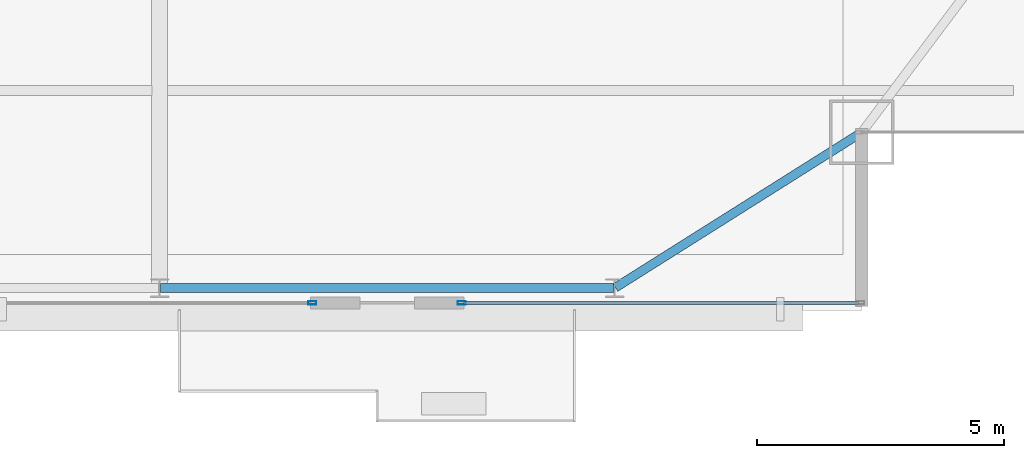
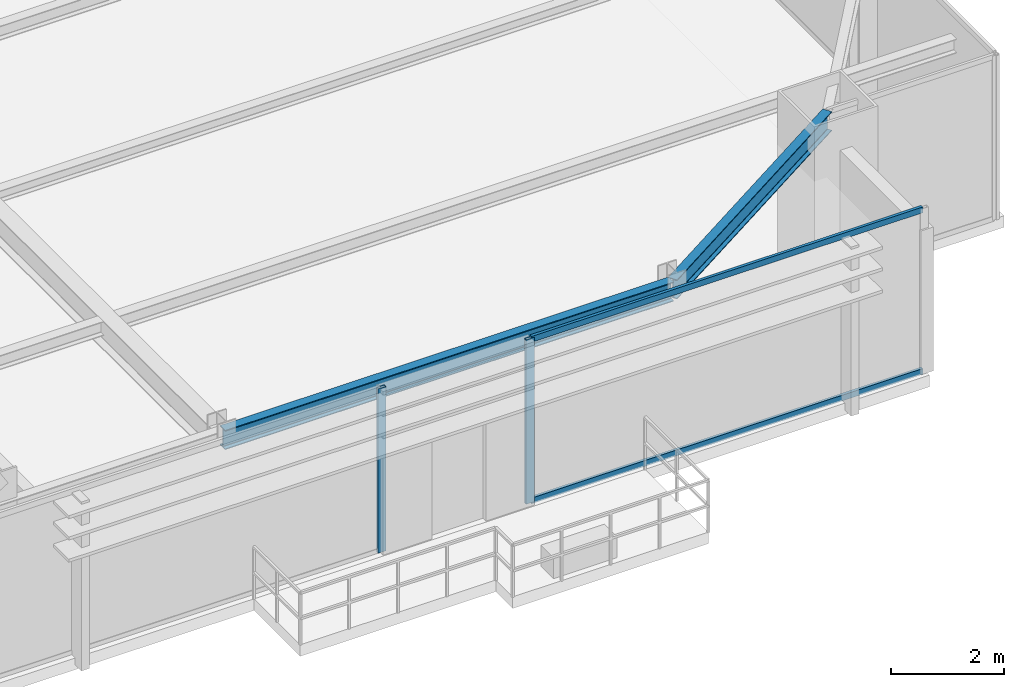
# One storey, part 14 of 32: 4 members, 2 beams, 2 elements without a shape of their own.
"""IFC4 building model written with IfcOpenShell, lengths in metres."""

import ifcopenshell
import ifcopenshell.guid

model = None  # the IFC model being written
_history = None  # IfcOwnerHistory: only IFC2X3 demands one
_inside = {}  # id of a spatial element -> (the spatial element, [elements in it])
_under = {}  # id of a project, library or spatial element -> (it, [spatial elements below it])
_declared = {}  # id of a project -> (the project, [libraries it declares])
_typed = {}  # id of a type object -> (the type object, [elements of that type])
_made_of = {}  # id of a material, layer set ... -> (it, [elements and type objects made of it])


def new_model(schema):
    """Start an empty IFC model of exactly this schema.

    Asked for "IFC4X3", IfcOpenShell would pick the latest addendum, in which some entities
    have other attributes; the version numbers below select the first issue.
    IFC2X3 requires an IfcOwnerHistory on every rooted entity: one is made here for all.
    """
    global model, _history
    if schema == "IFC4X3":
        model = ifcopenshell.file(schema_version=(4, 3, 0, 0))
    else:
        model = ifcopenshell.file(schema=schema)
    _inside.clear()
    _under.clear()
    _declared.clear()
    _typed.clear()
    _made_of.clear()
    _history = None
    if model.schema == "IFC2X3":
        org = make("IfcOrganization", Name="unknown")
        user = make(
            "IfcPersonAndOrganization",
            ThePerson=make("IfcPerson", FamilyName="unknown"),
            TheOrganization=org,
        )
        app = make(
            "IfcApplication",
            ApplicationDeveloper=org,
            Version="unknown",
            ApplicationFullName="unknown",
            ApplicationIdentifier="unknown",
        )
        _history = make(
            "IfcOwnerHistory",
            OwningUser=user,
            OwningApplication=app,
            ChangeAction="ADDED",
            CreationDate=0,
        )
    return model


def make(cls, **values):
    """One entity of the class cls with the attributes given. An attribute that is None is left unset."""
    return model.create_entity(
        cls, **{name: value for name, value in values.items() if value is not None}
    )


def rooted(cls, **values):
    """An entity with a GlobalId (a new one), such as an element, a storey or a relation."""
    return make(cls, GlobalId=ifcopenshell.guid.new(), OwnerHistory=_history, **values)


def si_unit(unit_type, name, prefix=None):
    """IfcSIUnit, for example si_unit("LENGTHUNIT", "METRE", prefix="MILLI")."""
    return make("IfcSIUnit", UnitType=unit_type, Prefix=prefix, Name=name)


def assignment(units):
    """IfcUnitAssignment: the units of a project."""
    return None if units is None else make("IfcUnitAssignment", Units=units)


def point(xyz):
    """IfcCartesianPoint."""
    return None if xyz is None else make("IfcCartesianPoint", Coordinates=xyz)


def direction(xyz):
    """IfcDirection."""
    return None if xyz is None else make("IfcDirection", DirectionRatios=xyz)


def frame(location, z_axis=None, x_axis=None):
    """IfcAxis2Placement3D, a coordinate frame: its origin and axes. An axis left out is left unset."""
    return make(
        "IfcAxis2Placement3D",
        Location=point(location),
        Axis=direction(z_axis),
        RefDirection=direction(x_axis),
    )


def frame_2d(location, x_axis=None):
    """IfcAxis2Placement2D, a coordinate frame in the plane: its origin and x axis."""
    return make(
        "IfcAxis2Placement2D", Location=point(location), RefDirection=direction(x_axis)
    )


def origin():
    """The frame at (0, 0, 0) with its axes left unset."""
    return frame((0.0, 0.0, 0.0))


def origin_2d():
    """The frame at (0, 0) in the plane with its x axis left unset."""
    return frame_2d((0.0, 0.0))


def place(relative_to, where):
    """IfcLocalPlacement: puts the frame where relative to a parent placement (None: the world)."""
    return make(
        "IfcLocalPlacement", PlacementRelTo=relative_to, RelativePlacement=where
    )


def context(
    kind, dimensions, precision=None, world=None, true_north=None, identifier=None
):
    """IfcGeometricRepresentationContext, for example the 3D "Model" context."""
    return make(
        "IfcGeometricRepresentationContext",
        ContextIdentifier=identifier,
        ContextType=kind,
        CoordinateSpaceDimension=dimensions,
        Precision=precision,
        WorldCoordinateSystem=world,
        TrueNorth=true_north,
    )


def subcontext(parent, identifier, kind, view, scale=None):
    """IfcGeometricRepresentationSubContext, for example "Body" below "Model"."""
    return make(
        "IfcGeometricRepresentationSubContext",
        ContextIdentifier=identifier,
        ContextType=kind,
        ParentContext=parent,
        TargetScale=scale,
        TargetView=view,
    )


def project(units=None, contexts=None):
    """IfcProject with its units and contexts."""
    return rooted(
        "IfcProject",
        Name="project",
        RepresentationContexts=contexts,
        UnitsInContext=assignment(units),
    )


def spatial(cls, under=None, at=None, **own):
    """A site, building, storey or space (cls), placed at a placement, below another one or the project."""
    s = rooted(cls, ObjectPlacement=at, **own)
    if under is not None:
        _under.setdefault(under.id(), (under, []))[1].append(s)
    return s


def profile(cls, at=None, kind="AREA", **sizes):
    """A parametric profile (cls). Its sizes go by their IFC names, for example OverallWidth=200.0."""
    return make(cls, ProfileType=kind, Position=at, **sizes)


def hollow_rectangle(**sizes):
    """IfcRectangleHollowProfileDef."""
    return profile("IfcRectangleHollowProfileDef", **sizes)


def i_section(**sizes):
    """IfcIShapeProfileDef."""
    return profile("IfcIShapeProfileDef", **sizes)


def extrude(swept, where, along, depth):
    """IfcExtrudedAreaSolid: the profile swept, set in the frame where, extruded along a direction by depth."""
    return make(
        "IfcExtrudedAreaSolid",
        SweptArea=swept,
        Position=where,
        ExtrudedDirection=direction(along),
        Depth=depth,
    )


def shape(context_of_items, identifier, shape_type, items):
    """IfcShapeRepresentation: the items that make up one representation, for example the "Body"."""
    return make(
        "IfcShapeRepresentation",
        ContextOfItems=context_of_items,
        RepresentationIdentifier=identifier,
        RepresentationType=shape_type,
        Items=items,
    )


def source(mapping_origin, context_of_items, identifier, shape_type, items):
    """IfcRepresentationMap: a shape defined once, which mapped items show again and again."""
    return make(
        "IfcRepresentationMap",
        MappingOrigin=mapping_origin,
        MappedRepresentation=shape(context_of_items, identifier, shape_type, items),
    )


def transform(
    local_origin,
    x_axis=None,
    y_axis=None,
    z_axis=None,
    scale=None,
    scale2=None,
    scale3=None,
    uniform=True,
):
    """IfcCartesianTransformationOperator3D, or its non-uniform kind. x_axis, y_axis, z_axis: its Axis1, 2, 3."""
    if uniform:
        return make(
            "IfcCartesianTransformationOperator3D",
            Axis1=direction(x_axis),
            Axis2=direction(y_axis),
            LocalOrigin=point(local_origin),
            Scale=scale,
            Axis3=direction(z_axis),
        )
    return make(
        "IfcCartesianTransformationOperator3DnonUniform",
        Axis1=direction(x_axis),
        Axis2=direction(y_axis),
        LocalOrigin=point(local_origin),
        Scale=scale,
        Axis3=direction(z_axis),
        Scale2=scale2,
        Scale3=scale3,
    )


def mapped(mapping_source, mapping_target):
    """IfcMappedItem: shows the shape of a source again, moved by a transform."""
    return make(
        "IfcMappedItem", MappingSource=mapping_source, MappingTarget=mapping_target
    )


def material(Name=None, Category=None):
    """IfcMaterial."""
    return make("IfcMaterial", Name=Name, Category=Category)


def layer(
    of_material, thickness, ventilated=None, Name=None, Category=None, Priority=None
):
    """IfcMaterialLayer: one layer of a wall or slab, of a material (None: an air gap)."""
    return make(
        "IfcMaterialLayer",
        Material=of_material,
        LayerThickness=thickness,
        IsVentilated=ventilated,
        Name=Name,
        Category=Category,
        Priority=Priority,
    )


def layer_set(layers, Name=None):
    """IfcMaterialLayerSet."""
    return make("IfcMaterialLayerSet", MaterialLayers=layers, LayerSetName=Name)


def material_profile(
    of_material, cross_section, Name=None, Category=None, Priority=None
):
    """IfcMaterialProfile: a cross section and its material."""
    return make(
        "IfcMaterialProfile",
        Name=Name,
        Material=of_material,
        Profile=cross_section,
        Priority=Priority,
        Category=Category,
    )


def profile_set(profiles, Name=None, composite=None):
    """IfcMaterialProfileSet."""
    return make(
        "IfcMaterialProfileSet",
        Name=Name,
        MaterialProfiles=profiles,
        CompositeProfile=composite,
    )


def made_of(thing, what):
    """Note that an element or type object is made of a material, layer set ...; save() writes the relation."""
    if what is not None:
        _made_of.setdefault(what.id(), (what, []))[1].append(thing)
    return thing


def type_object(cls, material=None, **own):
    """A type object (cls), such as IfcWallType, which elements share."""
    return made_of(rooted(cls, **own), material)


def type_shapes(of_type, sources):
    """Give a type object the sources (RepresentationMaps) that its elements show as mapped items."""
    of_type.RepresentationMaps = sources


def element(
    cls,
    number,
    at=None,
    inside=None,
    cuts=None,
    type_object=None,
    material=None,
    context=None,
    identifier="Body",
    shape_type=None,
    held_by="IfcProductDefinitionShape",
    body=None,
    shapes=None,
    **own,
):
    """One element of the class cls, such as IfcWall. Its Tag is "e" and its number.

    at: its placement. inside: the storey or other place that contains it. cuts: it is an
    opening in that element (IfcRelVoidsElement). A single representation is given by context,
    identifier, shape_type and body (its items); several are given by shapes. held_by: the class
    of the entity that holds the representations. save() writes the other relations.
    """
    e = rooted(cls, Tag="e%d" % number, ObjectPlacement=at, **own)
    if body is not None:
        shapes = [shape(context, identifier, shape_type, body)]
    if shapes is not None:
        e.Representation = make(held_by, Representations=shapes)
    if inside is not None:
        _inside.setdefault(inside.id(), (inside, []))[1].append(e)
    if cuts is not None:
        rooted(
            "IfcRelVoidsElement", RelatingBuildingElement=cuts, RelatedOpeningElement=e
        )
    if type_object is not None:
        _typed.setdefault(type_object.id(), (type_object, []))[1].append(e)
    return made_of(e, material)


def aggregate(whole, parts):
    """IfcRelAggregates: a whole, such as a stair, and the parts it consists of."""
    return rooted("IfcRelAggregates", RelatingObject=whole, RelatedObjects=parts)


def save(model, path):
    """Write the relations noted so far, then the file.

    IfcRelAggregates (storeys below a building ...), IfcRelContainedInSpatialStructure (elements
    in a storey), IfcRelDefinesByType, IfcRelAssociatesMaterial and IfcRelDeclares: one each for
    every whole, place, type object, material and project.
    """
    for whole, parts in _under.values():
        aggregate(whole, parts)
    for where, things in _inside.values():
        rooted(
            "IfcRelContainedInSpatialStructure",
            RelatedElements=things,
            RelatingStructure=where,
        )
    for kind, things in _typed.values():
        rooted("IfcRelDefinesByType", RelatedObjects=things, RelatingType=kind)
    for what, things in _made_of.values():
        rooted("IfcRelAssociatesMaterial", RelatedObjects=things, RelatingMaterial=what)
    for by, libraries in _declared.values():
        rooted("IfcRelDeclares", RelatingContext=by, RelatedDefinitions=libraries)
    model.write(path)


model = new_model("IFC4")

# Units and contexts
model_context = context("Model", 3, precision=1e-05, world=origin(), true_north=direction((0.0, 1.0)))
body_context = subcontext(model_context, "Body", "Model", "MODEL_VIEW")
ifc_project = project(units=[si_unit("LENGTHUNIT", "METRE"), si_unit("AREAUNIT", "SQUARE_METRE"), si_unit("VOLUMEUNIT", "CUBIC_METRE"), si_unit("PLANEANGLEUNIT", "RADIAN"), si_unit("MASSUNIT", "GRAM", prefix="KILO")], contexts=[model_context])

# Site, building, storey
site_placement = place(None, origin())
site = spatial("IfcSite", under=ifc_project, at=site_placement, CompositionType="ELEMENT")
building_placement = place(site_placement, origin())
building = spatial("IfcBuilding", under=site, at=building_placement, Name="Varnel Quay Broadcast Tower", CompositionType="ELEMENT")
storey_placement = place(building_placement, frame((0.0, 0.0, 164.800048828125)))
storey = spatial("IfcBuildingStorey", under=building, at=storey_placement, Name="L40", CompositionType="ELEMENT", Elevation=164.800048828125)

# Beams
ifc_material_1 = material(Name="Structural Steel CSA G40.21 350W", Category="steel")
ifc_material_profile_1 = material_profile(ifc_material_1, i_section(OverallWidth=0.180908203125, OverallDepth=0.4169921875, WebThickness=0.010986328125, FlangeThickness=0.018310546875, FilletRadius=0.011962890625, at=origin_2d()), Name="W410X85")
ifc_profile_set_1 = profile_set([ifc_material_profile_1], Name="Structural Steel CSA G40.21 350W")
beam_type = type_object("IfcBeamType", Name="Beam_W410X85", PredefinedType="SPANDREL", material=ifc_profile_set_1)
shared_shape_1 = source(origin(), body_context, "Body", "SweptSolid", [
    extrude(i_section(OverallWidth=0.180908203125, OverallDepth=0.4169921875, WebThickness=0.010986328125, FlangeThickness=0.018310546875, FilletRadius=0.011962890625, at=origin_2d()), origin(), (0.0, 0.0, 1.0), 9.159912109375),
])
beam_1_placement = place(storey_placement, frame((43.219970703125, 7.64990234375, 3.341552734375), z_axis=(1.0, 0.0, 0.0), x_axis=(0.0, 1.0, 0.0)))
element("IfcBeam", 1, at=beam_1_placement, inside=storey, type_object=beam_type, Name="L40 South Spandrel TC-S4-TC-S5", PredefinedType="SPANDREL", context=body_context, shape_type="MappedRepresentation", body=[
    mapped(shared_shape_1, transform((0.0, 0.0, 0.0), x_axis=(1.0, 0.0, 0.0), y_axis=(0.0, 1.0, 0.0), z_axis=(0.0, 0.0, 1.0), scale=1.0)),
])
shared_shape_2 = source(origin(), body_context, "Body", "SweptSolid", [
    extrude(i_section(OverallWidth=0.180908203125, OverallDepth=0.4169921875, WebThickness=0.010986328125, FlangeThickness=0.018310546875, FilletRadius=0.011962890625, at=origin_2d()), origin(), (0.0, 0.0, 1.0), 5.869384765625),
])
type_shapes(beam_type, [shared_shape_1, shared_shape_2])
beam_2_placement = place(storey_placement, frame((52.4169921875, 7.66064453125, 3.341552734375), z_axis=(0.846088328928, 0.533042718412, 0.0), x_axis=(-0.533042718412, 0.846088328928, 0.0)))
element("IfcBeam", 2, at=beam_2_placement, inside=storey, type_object=beam_type, Name="L40 South Spandrel TC-S5-MC-SE", PredefinedType="SPANDREL", context=body_context, shape_type="MappedRepresentation", body=[
    mapped(shared_shape_2, transform((0.0, 0.0, 0.0), x_axis=(1.0, 0.0, 0.0), y_axis=(0.0, 1.0, 0.0), z_axis=(0.0, 0.0, 1.0), scale=1.0)),
])

# Curtain wall, member
ifc_material_2 = material(Name="Anodised Bronze Aluminium 6063-T6", Category="aluminium")
ifc_layer = layer(ifc_material_2, 0.18994140625, Name="Anodised Bronze Aluminium 6063-T6")
ifc_layer_set = layer_set([ifc_layer], Name="Anodised Bronze Aluminium 6063-T6")
curtain_wall_type = type_object("IfcCurtainWallType", Name="CW_UpperTower", PredefinedType="NOTDEFINED", material=ifc_layer_set)
curtain_wall_1_placement = place(storey_placement, origin())
curtain_wall_1 = element("IfcCurtainWall", 3, at=curtain_wall_1_placement, inside=storey, type_object=curtain_wall_type, Name="L40 South Unitised Curtain Wall 2", PredefinedType="NOTDEFINED")
ifc_material_profile_2 = material_profile(ifc_material_2, hollow_rectangle(XDim=0.06494140625, YDim=0.1650390625, WallThickness=0.00341796875, at=origin_2d()), Name="ALU65X165X3.5")
ifc_profile_set_2 = profile_set([ifc_material_profile_2], Name="Anodised Bronze Aluminium 6063-T6")
member_type_1 = type_object("IfcMemberType", Name="Mull_CWS-03", PredefinedType="MULLION", material=ifc_profile_set_2)
shared_shape_3 = source(origin(), body_context, "Body", "SweptSolid", [
    extrude(hollow_rectangle(XDim=0.06494140625, YDim=0.1650390625, WallThickness=0.00341796875, at=origin_2d()), origin(), (0.0, 0.0, 1.0), 3.550048828125),
])
type_shapes(member_type_1, [shared_shape_3])
member_1_placement = place(storey_placement, frame((46.28759765625, 7.35009765625, 0.0), z_axis=(0.0, 0.0, 1.0), x_axis=(0.0, 1.0, 0.0)))
member_1 = element("IfcMember", 4, at=member_1_placement, type_object=member_type_1, Name="CWS-03 mullion 3", PredefinedType="MULLION", context=body_context, shape_type="MappedRepresentation", body=[
    mapped(shared_shape_3, transform((0.0, 0.0, 0.0), x_axis=(1.0, 0.0, 0.0), y_axis=(0.0, 1.0, 0.0), z_axis=(0.0, 0.0, 1.0), scale=1.0)),
])
aggregate(curtain_wall_1, [member_1])

# Curtain wall, members
curtain_wall_2_placement = place(storey_placement, origin())
curtain_wall_2 = element("IfcCurtainWall", 5, at=curtain_wall_2_placement, inside=storey, type_object=curtain_wall_type, Name="L40 South Unitised Curtain Wall 3", PredefinedType="NOTDEFINED")
member_2_placement = place(storey_placement, frame((49.3125, 7.35009765625, 0.0), z_axis=(0.0, 0.0, 1.0), x_axis=(0.0, 1.0, 0.0)))
member_2 = element("IfcMember", 6, at=member_2_placement, type_object=member_type_1, Name="CWS-03 mullion 1", PredefinedType="MULLION", context=body_context, shape_type="MappedRepresentation", body=[
    mapped(shared_shape_3, transform((0.0, 0.0, 0.0), x_axis=(1.0, 0.0, 0.0), y_axis=(0.0, 1.0, 0.0), z_axis=(0.0, 0.0, 1.0), scale=1.0)),
])
ifc_material_profile_3 = material_profile(ifc_material_2, hollow_rectangle(XDim=0.06005859375, YDim=0.125, WallThickness=0.0029296875, at=origin_2d()), Name="ALU60X125X3")
ifc_profile_set_3 = profile_set([ifc_material_profile_3], Name="Anodised Bronze Aluminium 6063-T6")
member_type_2 = type_object("IfcMemberType", Name="Tran_CWS-03", PredefinedType="USERDEFINED", material=ifc_profile_set_3)
shared_shape_4 = source(origin(), body_context, "Body", "SweptSolid", [
    extrude(hollow_rectangle(XDim=0.06005859375, YDim=0.125, WallThickness=0.0029296875, at=origin_2d()), origin(), (0.0, 0.0, 1.0), 7.989990234375),
])
type_shapes(member_type_2, [shared_shape_4])
member_3_placement = place(storey_placement, frame((49.344970703125, 7.35009765625, 0.030029296875), z_axis=(1.0, 0.0, 0.0), x_axis=(0.0, 1.0, 0.0)))
member_3 = element("IfcMember", 7, at=member_3_placement, type_object=member_type_2, Name="CWS-03 transom 1.1", ObjectType="TRANSOM", PredefinedType="USERDEFINED", context=body_context, shape_type="MappedRepresentation", body=[
    mapped(shared_shape_4, transform((0.0, 0.0, 0.0), x_axis=(1.0, 0.0, 0.0), y_axis=(0.0, 1.0, 0.0), z_axis=(0.0, 0.0, 1.0), scale=1.0)),
])
member_4_placement = place(storey_placement, frame((49.344970703125, 7.35009765625, 3.52001953125), z_axis=(1.0, 0.0, 0.0), x_axis=(0.0, 1.0, 0.0)))
member_4 = element("IfcMember", 8, at=member_4_placement, type_object=member_type_2, Name="CWS-03 transom 1.2", ObjectType="TRANSOM", PredefinedType="USERDEFINED", context=body_context, shape_type="MappedRepresentation", body=[
    mapped(shared_shape_4, transform((0.0, 0.0, 0.0), x_axis=(1.0, 0.0, 0.0), y_axis=(0.0, 1.0, 0.0), z_axis=(0.0, 0.0, 1.0), scale=1.0)),
])
aggregate(curtain_wall_2, [member_2, member_3, member_4])

save(model, "model.ifc")
